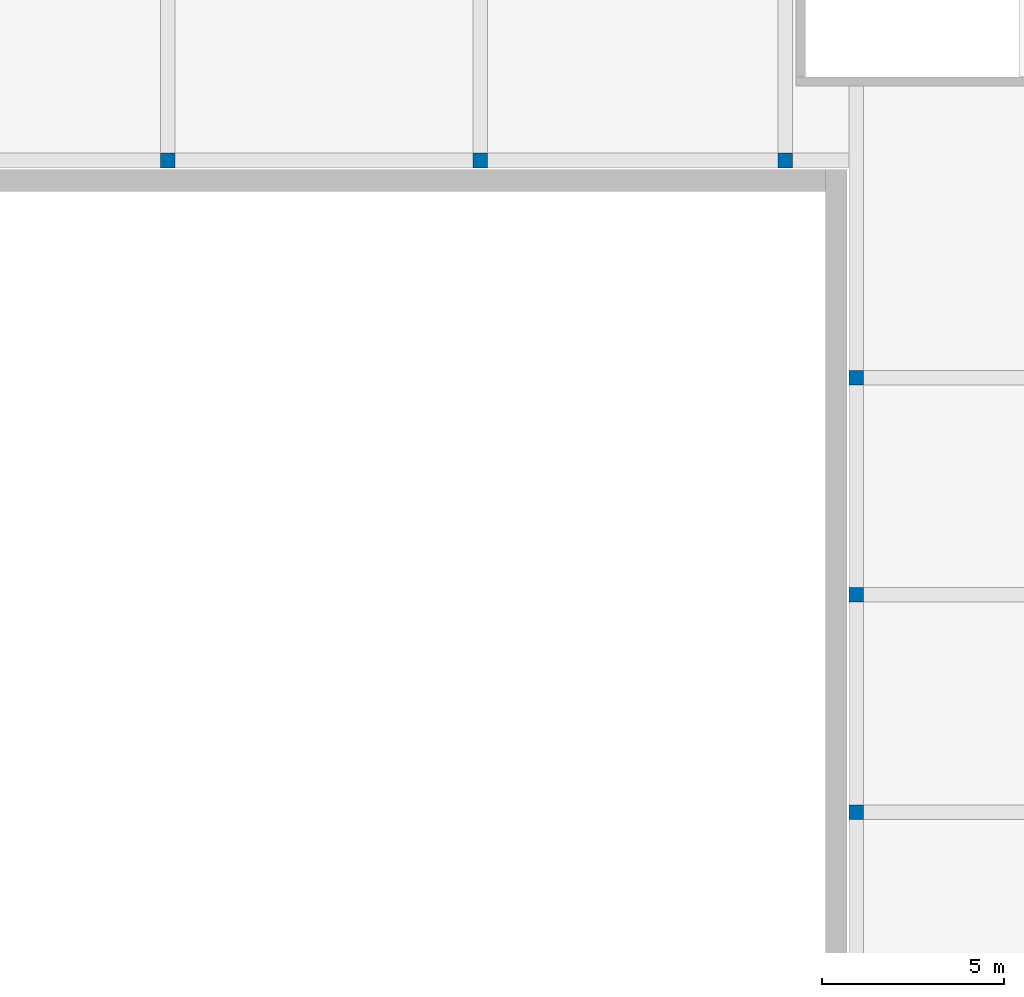
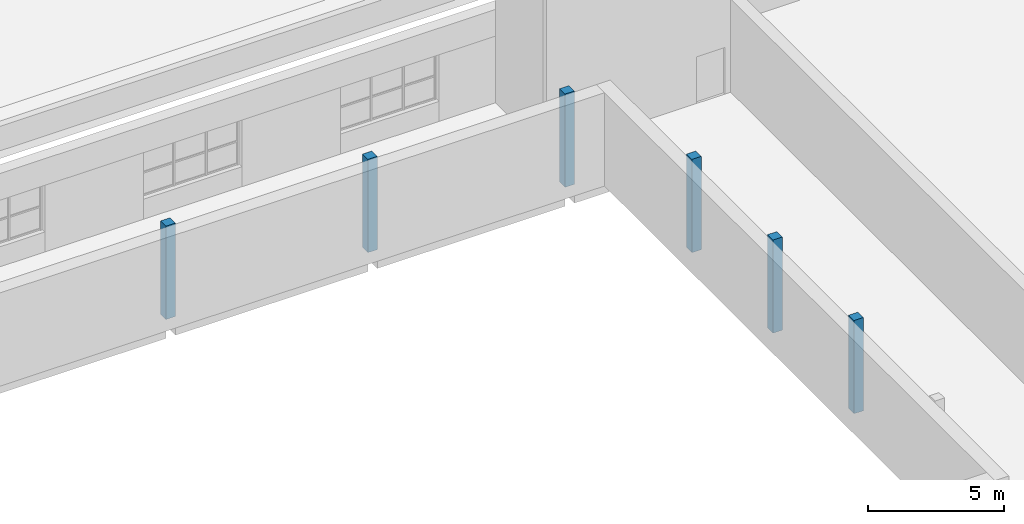
# One storey, part 7 of 60: 6 columns.
"""IFC4 building model written with IfcOpenShell, lengths in metres."""

from ifc_helpers import new_model, si_unit, direction, frame, origin, origin_2d, place, context, subcontext, project, spatial, rectangle, extrude, material, material_profile, profile_set, type_object, element, save


model = new_model("IFC4")

# Units and contexts
model_context = context("Model", 3, precision=1e-05, world=origin(), true_north=direction((0.0, 1.0)))
body_context = subcontext(model_context, "Body", "Model", "MODEL_VIEW")
ifc_project = project(units=[si_unit("LENGTHUNIT", "METRE"), si_unit("AREAUNIT", "SQUARE_METRE"), si_unit("VOLUMEUNIT", "CUBIC_METRE"), si_unit("PLANEANGLEUNIT", "RADIAN"), si_unit("MASSUNIT", "GRAM", prefix="KILO")], contexts=[model_context])

# Site, building, storey
site_placement = place(None, origin())
site = spatial("IfcSite", under=ifc_project, at=site_placement, CompositionType="ELEMENT")
building_placement = place(site_placement, origin())
building = spatial("IfcBuilding", under=site, at=building_placement, Name="Ljudholm Concert House", CompositionType="ELEMENT")
storey_placement = place(building_placement, frame((0.0, 0.0, 15.0)))
storey = spatial("IfcBuildingStorey", under=building, at=storey_placement, Name="L03", CompositionType="ELEMENT", Elevation=15.0)

# Columns
ifc_material = material(Name="Concrete 6,500 psi", Category="concrete")
ifc_material_profile = material_profile(ifc_material, rectangle(XDim=0.39990234375, YDim=0.39990234375, at=origin_2d()), Name="RC COLUMN 400x400")
ifc_profile_set = profile_set([ifc_material_profile], Name="Concrete 6,500 psi")
column_type = type_object("IfcColumnType", Name="RC COLUMN 400x400", PredefinedType="COLUMN", material=ifc_profile_set)
for number, where, z_axis, x_axis, name in (
    (1, (71.0, 90.35009765625, 0.0), (0.0, 0.0, 1.0), (1.0, 0.0, 0.0), "Ring column"),
    (2, (79.60009765625, 90.35009765625, 0.0), (0.0, 0.0, 1.0), (1.0, 0.0, 0.0), "Ring column"),
    (3, (88.0, 90.35009765625, 0.0), (0.0, 0.0, 1.0), (1.0, 0.0, 0.0), "Ring column"),
    (4, (89.949951171875, 72.409912109375, 0.0), (0.0, 0.0, 1.0), (1.0, 0.0, 0.0), "Ring column"),
    (5, (89.949951171875, 78.389892578125, 0.0), (0.0, 0.0, 1.0), (1.0, 0.0, 0.0), "Ring column"),
    (6, (89.949951171875, 84.3701171875, 0.0), (0.0, 0.0, 1.0), (1.0, 0.0, 0.0), "Ring column"),
):
    element("IfcColumn", number, at=place(storey_placement, frame(where, z_axis=z_axis, x_axis=x_axis)), inside=storey, type_object=column_type, Name=name, PredefinedType="COLUMN", context=body_context, shape_type="SweptSolid", body=[
        extrude(rectangle(XDim=0.39990234375, YDim=0.39990234375, at=origin_2d()), origin(), (0.0, 0.0, 1.0), 4.199951171875),
    ])

save(model, "model.ifc")
